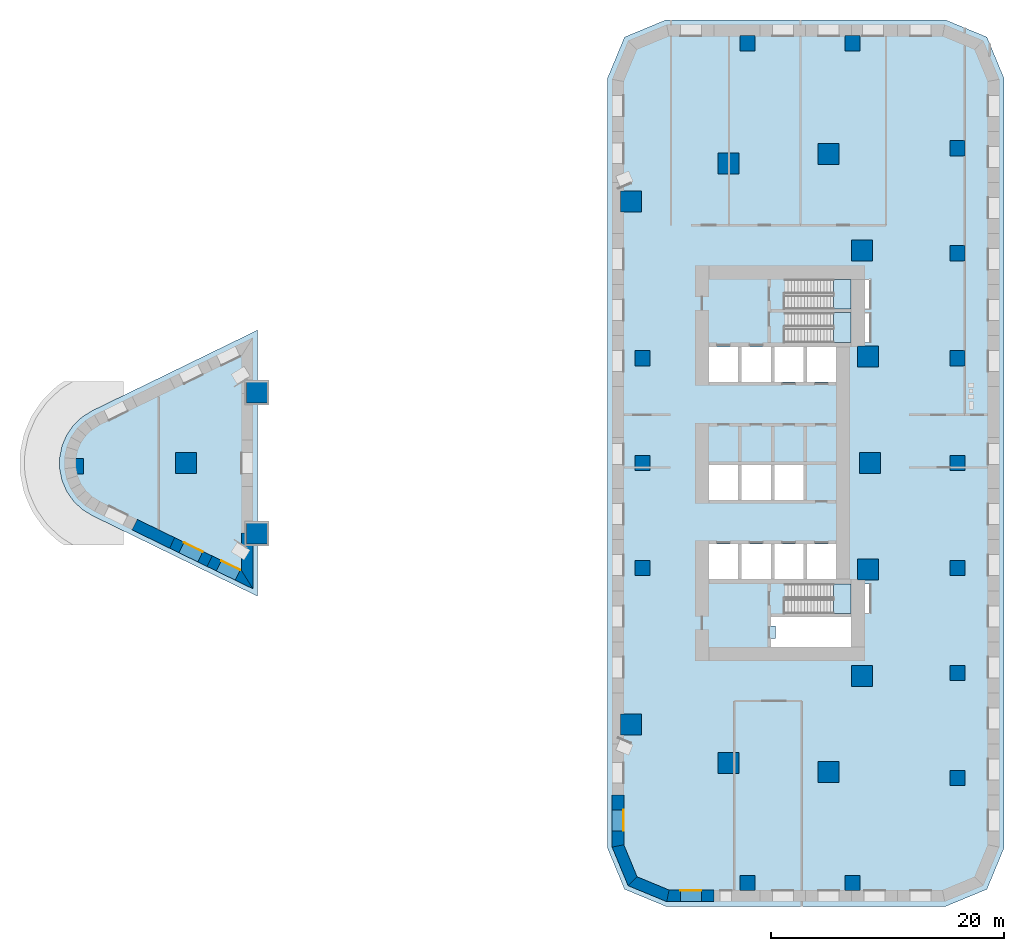
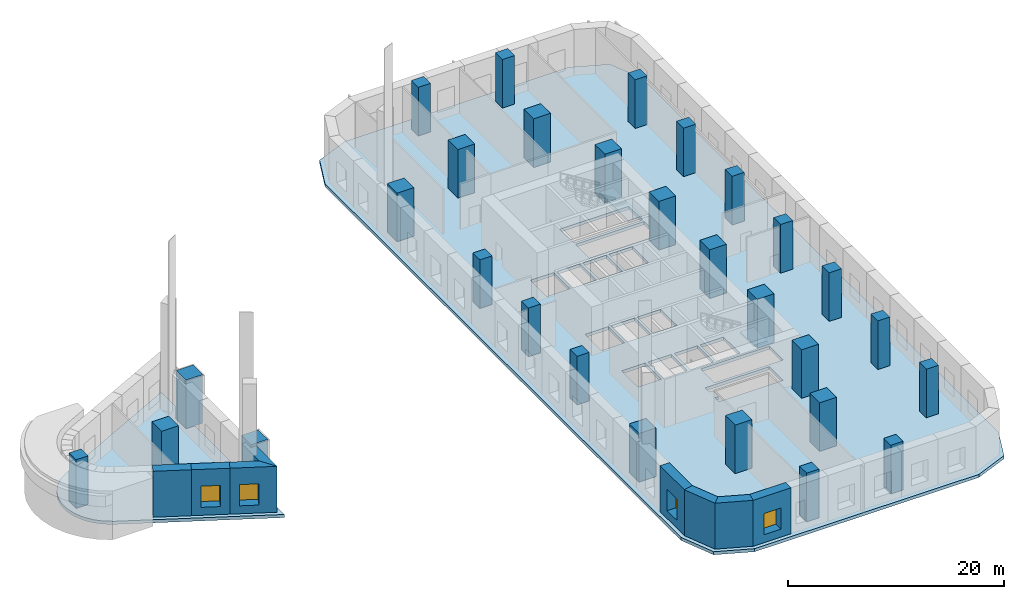
# One storey, part 1 of 12: 29 columns, 8 walls, 5 slabs, 4 windows, 5 openings, 3 elements without a shape of their own.
"""IFC4 building model written with IfcOpenShell, lengths in metres."""

from ifc_helpers import new_model, si_unit, direction, frame, frame_2d, origin, origin_2d, place, context, subcontext, project, spatial, polyline, rectangle, outline, extrude, material, layer, layer_set, material_profile, profile_set, type_object, element, fill, aggregate, save


model = new_model("IFC4")

# Units and contexts
model_context = context("Model", 3, precision=1e-05, world=origin(), true_north=direction((0.0, 1.0)))
body_context = subcontext(model_context, "Body", "Model", "MODEL_VIEW")
ifc_project = project(units=[si_unit("LENGTHUNIT", "METRE"), si_unit("AREAUNIT", "SQUARE_METRE"), si_unit("VOLUMEUNIT", "CUBIC_METRE"), si_unit("PLANEANGLEUNIT", "RADIAN"), si_unit("MASSUNIT", "GRAM", prefix="KILO")], contexts=[model_context])

# Site, building, storey
site_placement = place(None, origin())
site = spatial("IfcSite", under=ifc_project, at=site_placement, CompositionType="ELEMENT")
building_placement = place(site_placement, origin())
building = spatial("IfcBuilding", under=site, at=building_placement, Name="Ostrand Prow Hotel Tower", CompositionType="ELEMENT")
storey_placement = place(building_placement, frame((0.0, 0.0, 8.0)))
storey = spatial("IfcBuildingStorey", under=building, at=storey_placement, Name="L01", CompositionType="ELEMENT", Elevation=8.0)

# Columns
ifc_material_1 = material(Name="Concrete C60/75", Category="concrete")
ifc_material_profile_1 = material_profile(ifc_material_1, rectangle(XDim=1.300048828125, YDim=1.300048828125, at=origin_2d()), Name="RC 1300x1300")
ifc_profile_set_1 = profile_set([ifc_material_profile_1], Name="Concrete C60/75")
column_type_1 = type_object("IfcColumnType", Name="Interior column 1300x1300 C60/75", PredefinedType="COLUMN", material=ifc_profile_set_1)
for number, where, z_axis, x_axis, name in (
    (1, (-3.573974609375, -0.262939453125, 0.0), (0.0, 0.0, 1.0), (1.0, 0.0, 0.0), "Interior column W4S0"),
    (2, (45.0, -9.0, 0.0), (0.0, 0.0, 1.0), (1.0, 0.0, 0.0), "Interior column 45S9"),
    (3, (45.0, 0.0, 0.0), (0.0, 0.0, 1.0), (1.0, 0.0, 0.0), "Interior column 45C0"),
    (4, (45.0, 9.0, 0.0), (0.0, 0.0, 1.0), (1.0, 0.0, 0.0), "Interior column 45N9"),
    (5, (54.0, -36.0, 0.0), (0.0, 0.0, 1.0), (1.0, 0.0, 0.0), "Interior column 54S36"),
    (6, (54.0, 36.0, 0.0), (0.0, 0.0, 1.0), (1.0, 0.0, 0.0), "Interior column 54N36"),
    (7, (63.0, -36.0, 0.0), (0.0, 0.0, 1.0), (1.0, 0.0, 0.0), "Interior column 63S36"),
    (8, (63.0, 36.0, 0.0), (0.0, 0.0, 1.0), (1.0, 0.0, 0.0), "Interior column 63N36"),
    (9, (72.0, -27.0, 0.0), (0.0, 0.0, 1.0), (1.0, 0.0, 0.0), "Interior column 72S27"),
    (10, (72.0, -18.0, 0.0), (0.0, 0.0, 1.0), (1.0, 0.0, 0.0), "Interior column 72S18"),
    (11, (72.0, -9.0, 0.0), (0.0, 0.0, 1.0), (1.0, 0.0, 0.0), "Interior column 72S9"),
    (12, (72.0, 0.0, 0.0), (0.0, 0.0, 1.0), (1.0, 0.0, 0.0), "Interior column 72C0"),
    (13, (72.0, 9.0, 0.0), (0.0, 0.0, 1.0), (1.0, 0.0, 0.0), "Interior column 72N9"),
    (14, (72.0, 18.0, 0.0), (0.0, 0.0, 1.0), (1.0, 0.0, 0.0), "Interior column 72N18"),
    (15, (72.0, 27.0, 0.0), (0.0, 0.0, 1.0), (1.0, 0.0, 0.0), "Interior column 72N27"),
):
    element("IfcColumn", number, at=place(storey_placement, frame(where, z_axis=z_axis, x_axis=x_axis)), inside=storey, type_object=column_type_1, Name=name, PredefinedType="COLUMN", context=body_context, shape_type="SweptSolid", body=[
        extrude(rectangle(XDim=1.300048828125, YDim=1.300048828125, at=origin_2d()), origin(), (0.0, 0.0, 1.0), 5.5),
    ])
ifc_material_2 = material(Name="Concrete C60/75", Category="concrete")
ifc_material_profile_2 = material_profile(ifc_material_2, rectangle(XDim=1.800048828125, YDim=1.800048828125, at=origin_2d()), Name="RC 1800x1800")
ifc_profile_set_2 = profile_set([ifc_material_profile_2], Name="Concrete C60/75")
column_type_2 = type_object("IfcColumnType", Name="Stone-faced mega column 1800x1800 C60/75", PredefinedType="COLUMN", material=ifc_profile_set_2)
for number, where, z_axis, x_axis, name in (
    (16, (5.848388671875, 0.0, 0.0), (0.0, 0.0, 1.0), (1.0, 0.0, 0.0), "Mega column P"),
    (17, (11.926513671875, -6.0419921875, 0.0), (0.0, 0.0, 1.0), (1.0, 0.0, 0.0), "Mega column S1"),
    (18, (43.997802734375, -22.427978515625, 0.0), (0.0, 0.0, 1.0), (1.0, 0.0, 0.0), "Mega column S5"),
    (19, (52.3916015625, -25.710205078125, 0.0), (0.0, 0.0, 1.0), (1.0, 0.0, 0.0), "Mega column S6"),
    (20, (60.966064453125, -26.49853515625, 0.0), (0.0, 0.0, 1.0), (1.0, 0.0, 0.0), "Mega column SE"),
    (21, (63.8134765625, -18.248779296875, 0.0), (0.0, 0.0, 1.0), (1.0, 0.0, 0.0), "Mega column B1"),
    (22, (64.328369140625, -9.130859375, 0.0), (0.0, 0.0, 1.0), (1.0, 0.0, 0.0), "Mega column B2"),
    (23, (64.5, 0.0, 0.0), (0.0, 0.0, 1.0), (1.0, 0.0, 0.0), "Mega column B3"),
    (24, (64.328369140625, 9.130859375, 0.0), (0.0, 0.0, 1.0), (1.0, 0.0, 0.0), "Mega column B4"),
    (25, (63.8134765625, 18.248779296875, 0.0), (0.0, 0.0, 1.0), (1.0, 0.0, 0.0), "Mega column B5"),
    (26, (60.966064453125, 26.49853515625, 0.0), (0.0, 0.0, 1.0), (1.0, 0.0, 0.0), "Mega column NE"),
    (27, (52.3916015625, 25.710205078125, 0.0), (0.0, 0.0, 1.0), (1.0, 0.0, 0.0), "Mega column N1"),
    (28, (43.997802734375, 22.427978515625, 0.0), (0.0, 0.0, 1.0), (1.0, 0.0, 0.0), "Mega column N2"),
    (29, (11.926513671875, 6.0419921875, 0.0), (0.0, 0.0, 1.0), (1.0, 0.0, 0.0), "Mega column N6"),
):
    element("IfcColumn", number, at=place(storey_placement, frame(where, z_axis=z_axis, x_axis=x_axis)), inside=storey, type_object=column_type_2, Name=name, PredefinedType="COLUMN", context=body_context, shape_type="SweptSolid", body=[
        extrude(rectangle(XDim=1.800048828125, YDim=1.800048828125, at=origin_2d()), origin(), (0.0, 0.0, 1.0), 5.5),
    ])

# Slab
ifc_material_3 = material(Name="Concrete C40/50", Category="concrete")
ifc_layer_1 = layer(ifc_material_3, 0.35009765625)
ifc_layer_set_1 = layer_set([ifc_layer_1], Name="Concrete C40/50")
slab_type_1 = type_object("IfcSlabType", Name="PT flat plate 350 C40/50", PredefinedType="FLOOR", material=ifc_layer_set_1)
slab_1_placement = place(storey_placement, frame((0.0, 0.0, -0.35009765625)))
element("IfcSlab", 30, at=slab_1_placement, inside=storey, type_object=slab_type_1, Name="Floor slab L01-1", PredefinedType="FLOOR", context=body_context, shape_type="SweptSolid", body=[
    extrude(outline(polyline([(12.0, -11.41259765625), (-2.19091796875, -4.494384765625), (-3.052490234375, -3.9599609375), (-3.788818359375, -3.2626953125), (-4.368896484375, -2.431396484375), (-4.769775390625, -1.5), (-4.97412109375, -0.5068359375), (-4.97412109375, 0.5068359375), (-4.769775390625, 1.5), (-4.368896484375, 2.431396484375), (-3.788818359375, 3.2626953125), (-3.052490234375, 3.9599609375), (-2.19091796875, 4.494384765625), (12.0, 11.41259765625), (12.0, -11.41259765625)])), origin(), (0.0, 0.0, 1.0), 0.35009765625),
])

# Slab, opening
slab_2_placement = place(storey_placement, frame((0.0, 0.0, -0.35009765625)))
slab_2 = element("IfcSlab", 31, at=slab_2_placement, inside=storey, type_object=slab_type_1, Name="Floor slab L01-2", PredefinedType="FLOOR", context=body_context, shape_type="SweptSolid", body=[
    extrude(outline(polyline([(47.0, -38.0), (43.464599609375, -36.535400390625), (42.0, -33.0), (42.0, 33.0), (43.464599609375, 36.535400390625), (47.0, 38.0), (71.0, 38.0), (74.535400390625, 36.535400390625), (76.0, 33.0), (76.0, -33.0), (74.535400390625, -36.535400390625), (71.0, -38.0), (47.0, -38.0)]), holes=[polyline([(50.699951171875, 6.949951171875), (53.199951171875, 6.949951171875), (53.199951171875, 9.949951171875), (50.699951171875, 9.949951171875), (50.699951171875, 6.949951171875)]), polyline([(53.5, 6.949951171875), (56.0, 6.949951171875), (56.0, 9.949951171875), (53.5, 9.949951171875), (53.5, 6.949951171875)]), polyline([(56.300048828125, 6.949951171875), (58.800048828125, 6.949951171875), (58.800048828125, 9.949951171875), (56.300048828125, 9.949951171875), (56.300048828125, 6.949951171875)]), polyline([(59.10009765625, 6.949951171875), (61.60009765625, 6.949951171875), (61.60009765625, 9.949951171875), (59.10009765625, 9.949951171875), (59.10009765625, 6.949951171875)]), polyline([(50.699951171875, -3.14990234375), (53.199951171875, -3.14990234375), (53.199951171875, -0.14990234375), (50.699951171875, -0.14990234375), (50.699951171875, -3.14990234375)]), polyline([(53.5, -3.14990234375), (56.0, -3.14990234375), (56.0, -0.14990234375), (53.5, -0.14990234375), (53.5, -3.14990234375)]), polyline([(56.300048828125, -3.14990234375), (58.800048828125, -3.14990234375), (58.800048828125, -0.14990234375), (56.300048828125, -0.14990234375), (56.300048828125, -3.14990234375)]), polyline([(50.699951171875, -9.949951171875), (53.199951171875, -9.949951171875), (53.199951171875, -6.949951171875), (50.699951171875, -6.949951171875), (50.699951171875, -9.949951171875)]), polyline([(53.5, -9.949951171875), (56.0, -9.949951171875), (56.0, -6.949951171875), (53.5, -6.949951171875), (53.5, -9.949951171875)]), polyline([(56.300048828125, -9.949951171875), (58.800048828125, -9.949951171875), (58.800048828125, -6.949951171875), (56.300048828125, -6.949951171875), (56.300048828125, -9.949951171875)]), polyline([(59.10009765625, -9.949951171875), (61.60009765625, -9.949951171875), (61.60009765625, -6.949951171875), (59.10009765625, -6.949951171875), (59.10009765625, -9.949951171875)]), polyline([(57.200927734375, 10.35107421875), (57.200927734375, 12.89892578125), (64.55908203125, 12.89892578125), (64.55908203125, 10.35107421875), (57.200927734375, 10.35107421875)]), polyline([(57.200927734375, 13.200927734375), (57.200927734375, 15.7490234375), (64.55908203125, 15.7490234375), (64.55908203125, 13.200927734375), (57.200927734375, 13.200927734375)]), polyline([(57.200927734375, -12.89892578125), (57.200927734375, -10.35107421875), (64.55908203125, -10.35107421875), (64.55908203125, -12.89892578125), (57.200927734375, -12.89892578125)]), polyline([(56.0, -13.199951171875), (62.8798828125, -13.199951171875), (62.8798828125, -15.75), (56.0, -15.75), (56.0, -15.050048828125), (56.39990234375, -15.050048828125), (56.39990234375, -13.949951171875), (56.0, -13.949951171875), (56.0, -13.199951171875)])]), origin(), (0.0, 0.0, 1.0), 0.35009765625),
])
opening_1_placement = place(slab_2_placement, origin())
element("IfcOpeningElement", 32, at=opening_1_placement, cuts=slab_2, Name="Shaft opening 1", PredefinedType="OPENING", context=body_context, shape_type="SweptSolid", body=[
    extrude(outline(polyline([(56.0, -13.199951171875), (62.8798828125, -13.199951171875), (62.8798828125, -15.75), (56.0, -15.75), (56.0, -15.050048828125), (56.39990234375, -15.050048828125), (56.39990234375, -13.949951171875), (56.0, -13.949951171875), (56.0, -13.199951171875)])), origin(), (0.0, 0.0, 1.0), 0.35009765625),
])

# Stair, slab
ifc_material_4 = material(Name="Concrete C40/50", Category="concrete")
stair_type = type_object("IfcStairType", Name="Exit stair 1200 middle zone", PredefinedType="HALF_TURN_STAIR", material=ifc_material_4)
stair_1_placement = place(storey_placement, origin())
stair_1 = element("IfcStair", 33, at=stair_1_placement, inside=storey, type_object=stair_type, Name="L01 ST1B", PredefinedType="HALF_TURN_STAIR")
ifc_material_5 = material(Name="Concrete C40/50", Category="concrete")
ifc_layer_2 = layer(ifc_material_5, 0.199951171875)
ifc_layer_set_2 = layer_set([ifc_layer_2], Name="Concrete C40/50")
slab_type_2 = type_object("IfcSlabType", Name="Stair landing 200 concrete", PredefinedType="LANDING", material=ifc_layer_set_2)
slab_3_placement = place(storey_placement, frame((0.0, 0.0, 2.550048828125)))
slab_3 = element("IfcSlab", 34, at=slab_3_placement, type_object=slab_type_2, Name="ST1B landing 1", PredefinedType="LANDING", context=body_context, shape_type="SweptSolid", body=[
    extrude(outline(polyline([(61.39990234375, 10.35009765625), (62.8798828125, 10.35009765625), (62.8798828125, 12.89990234375), (61.39990234375, 12.89990234375), (61.39990234375, 10.35009765625)])), origin(), (0.0, 0.0, 1.0), 0.199951171875),
])
aggregate(stair_1, [slab_3])

stair_2_placement = place(storey_placement, origin())
stair_2 = element("IfcStair", 35, at=stair_2_placement, inside=storey, type_object=stair_type, Name="L01 ST3B", PredefinedType="HALF_TURN_STAIR")
slab_4_placement = place(storey_placement, frame((0.0, 0.0, 2.550048828125)))
slab_4 = element("IfcSlab", 36, at=slab_4_placement, type_object=slab_type_2, Name="ST3B landing 1", PredefinedType="LANDING", context=body_context, shape_type="SweptSolid", body=[
    extrude(outline(polyline([(61.39990234375, 13.199951171875), (62.8798828125, 13.199951171875), (62.8798828125, 15.75), (61.39990234375, 15.75), (61.39990234375, 13.199951171875)])), origin(), (0.0, 0.0, 1.0), 0.199951171875),
])
aggregate(stair_2, [slab_4])

stair_3_placement = place(storey_placement, origin())
stair_3 = element("IfcStair", 37, at=stair_3_placement, inside=storey, type_object=stair_type, Name="L01 ST2B", PredefinedType="HALF_TURN_STAIR")
slab_5_placement = place(storey_placement, frame((0.0, 0.0, 2.550048828125)))
slab_5 = element("IfcSlab", 38, at=slab_5_placement, type_object=slab_type_2, Name="ST2B landing 1", PredefinedType="LANDING", context=body_context, shape_type="SweptSolid", body=[
    extrude(outline(polyline([(61.39990234375, -12.89990234375), (62.8798828125, -12.89990234375), (62.8798828125, -10.35009765625), (61.39990234375, -10.35009765625), (61.39990234375, -12.89990234375)])), origin(), (0.0, 0.0, 1.0), 0.199951171875),
])
aggregate(stair_3, [slab_5])

# Walls
ifc_material_6 = material(Name="Precast concrete C40/50", Category="concrete")
ifc_layer_3 = layer(ifc_material_6, 1.0)
ifc_layer_set_3 = layer_set([ifc_layer_3], Name="Precast concrete C40/50")
wall_type = type_object("IfcWallType", Name="Portal pier wall 1000 mm", PredefinedType="NOTDEFINED", material=ifc_layer_set_3)
wall_1_placement = place(storey_placement, frame((11.10009765625, -9.972412109375, 0.0), z_axis=(0.0, 0.0, 1.0), x_axis=(0.0, 1.0, 0.0)))
element("IfcWall", 39, at=wall_1_placement, inside=storey, type_object=wall_type, Name="Portal pier wall L01-PP000", PredefinedType="NOTDEFINED", context=body_context, shape_type="SweptSolid", body=[
    extrude(outline(polyline([(-0.800048828125, -0.5), (3.989013671875, -0.5), (3.989013671875, 0.5), (0.800048828125, 0.5), (-0.800048828125, -0.5)])), origin(), (0.0, 0.0, 1.0), 5.199951171875),
])
wall_2_placement = place(storey_placement, frame((1.45849609375, -5.272216796875, 0.0), z_axis=(0.0, 0.0, 1.0), x_axis=(0.898848496883, -0.438259488946, 0.0)))
element("IfcWall", 40, at=wall_2_placement, inside=storey, type_object=wall_type, Name="Portal pier wall L01-PP021", PredefinedType="NOTDEFINED", context=body_context, shape_type="SweptSolid", body=[
    extrude(outline(polyline([(0.0, -0.5), (3.5751953125, -0.5), (3.5751953125, 0.5), (0.0, 0.5), (0.0, -0.5)])), origin(), (0.0, 0.0, 1.0), 5.199951171875),
])

# Wall, opening, window
wall_3_placement = place(storey_placement, frame((4.672119140625, -6.839111328125, 0.0), z_axis=(0.0, 0.0, 1.0), x_axis=(0.898888507486, -0.43817741967, 0.0)))
wall_3 = element("IfcWall", 41, at=wall_3_placement, inside=storey, type_object=wall_type, Name="Portal pier wall L01-PP022", PredefinedType="NOTDEFINED", context=body_context, shape_type="SweptSolid", body=[
    extrude(outline(polyline([(0.0, -0.5), (3.575439453125, -0.5), (3.575439453125, 0.5), (0.0, 0.5), (0.0, -0.5)])), origin(), (0.0, 0.0, 1.0), 5.199951171875),
])
opening_2_placement = place(wall_3_placement, frame((0.8876953125, 0.0, 0.89990234375)))
opening_2 = element("IfcOpeningElement", 42, at=opening_2_placement, cuts=wall_3, Name="Opening WP2", PredefinedType="OPENING", context=body_context, shape_type="SweptSolid", body=[
    extrude(rectangle(XDim=1.800048828125, YDim=2.39990234375, at=frame_2d((0.89990234375, 1.199951171875))), frame((0.0, 0.510009765625, 0.0), z_axis=(0.0, -1.0, 0.0), x_axis=(1.0, 0.0, 0.0)), (0.0, 0.0, 1.0), 1.02001953125),
])
ifc_material_7 = material(Name="Insulated glass in bronze anodised frame", Category="glass")
window_type = type_object("IfcWindowType", Name="Portal window 1800x2400", PartitioningType="SINGLE_PANEL", PredefinedType="WINDOW", material=ifc_material_7)
window_1_placement = place(opening_2_placement, origin())
window_1 = element("IfcWindow", 43, at=window_1_placement, inside=storey, type_object=window_type, Name="Portal window L01-PP022", OverallHeight=2.39990234375, OverallWidth=1.800048828125, PartitioningType="SINGLE_PANEL", PredefinedType="WINDOW", context=body_context, shape_type="SweptSolid", body=[
    extrude(rectangle(XDim=1.800048828125, YDim=2.39990234375, at=frame_2d((0.89990234375, 1.199951171875))), frame((0.0, 0.5, 0.0), z_axis=(0.0, -1.0, 0.0), x_axis=(1.0, 0.0, 0.0)), (0.0, 0.0, 1.0), 0.06005859375),
])
fill(opening_2, window_1)

wall_4_placement = place(storey_placement, frame((7.885986328125, -8.40576171875, 0.0), z_axis=(0.0, 0.0, 1.0), x_axis=(0.89890161674, -0.438150525987, 0.0)))
wall_4 = element("IfcWall", 44, at=wall_4_placement, inside=storey, type_object=wall_type, Name="Portal pier wall L01-PP023", PredefinedType="NOTDEFINED", context=body_context, shape_type="SweptSolid", body=[
    extrude(outline(polyline([(0.0, -0.5), (4.375732421875, -0.5), (2.775634765625, 0.5), (0.0, 0.5), (0.0, -0.5)])), origin(), (0.0, 0.0, 1.0), 5.199951171875),
])
opening_3_placement = place(wall_4_placement, frame((0.8876953125, 0.0, 0.89990234375)))
opening_3 = element("IfcOpeningElement", 45, at=opening_3_placement, cuts=wall_4, Name="Opening WP2", PredefinedType="OPENING", context=body_context, shape_type="SweptSolid", body=[
    extrude(rectangle(XDim=1.800048828125, YDim=2.39990234375, at=frame_2d((0.89990234375, 1.199951171875))), frame((0.0, 0.510009765625, 0.0), z_axis=(0.0, -1.0, 0.0), x_axis=(1.0, 0.0, 0.0)), (0.0, 0.0, 1.0), 1.02001953125),
])
window_2_placement = place(opening_3_placement, origin())
window_2 = element("IfcWindow", 46, at=window_2_placement, inside=storey, type_object=window_type, Name="Portal window L01-PP023", OverallHeight=2.39990234375, OverallWidth=1.800048828125, PartitioningType="SINGLE_PANEL", PredefinedType="WINDOW", context=body_context, shape_type="SweptSolid", body=[
    extrude(rectangle(XDim=1.800048828125, YDim=2.39990234375, at=frame_2d((0.89990234375, 1.199951171875))), frame((0.0, 0.5, 0.0), z_axis=(0.0, -1.0, 0.0), x_axis=(1.0, 0.0, 0.0)), (0.0, 0.0, 1.0), 0.06005859375),
])
fill(opening_3, window_2)

wall_5_placement = place(storey_placement, frame((47.178955078125, -37.10009765625, 0.0), z_axis=(0.0, 0.0, 1.0), x_axis=(1.0, 0.0, 0.0)))
wall_5 = element("IfcWall", 47, at=wall_5_placement, inside=storey, type_object=wall_type, Name="Portal pier wall L01-PP100", PredefinedType="NOTDEFINED", context=body_context, shape_type="SweptSolid", body=[
    extrude(outline(polyline([(-0.099609375, -0.5), (3.9404296875, -0.5), (3.9404296875, 0.5), (0.099609375, 0.5), (-0.099609375, -0.5)])), origin(), (0.0, 0.0, 1.0), 5.199951171875),
])
opening_4_placement = place(wall_5_placement, frame((1.0703125, 0.0, 0.89990234375)))
opening_4 = element("IfcOpeningElement", 48, at=opening_4_placement, cuts=wall_5, Name="Opening WP2", PredefinedType="OPENING", context=body_context, shape_type="SweptSolid", body=[
    extrude(rectangle(XDim=1.800048828125, YDim=2.39990234375, at=frame_2d((0.89990234375, 1.199951171875))), frame((0.0, 0.510009765625, 0.0), z_axis=(0.0, -1.0, 0.0), x_axis=(1.0, 0.0, 0.0)), (0.0, 0.0, 1.0), 1.02001953125),
])
window_3_placement = place(opening_4_placement, origin())
window_3 = element("IfcWindow", 49, at=window_3_placement, inside=storey, type_object=window_type, Name="Portal window L01-PP100", OverallHeight=2.39990234375, OverallWidth=1.800048828125, PartitioningType="SINGLE_PANEL", PredefinedType="WINDOW", context=body_context, shape_type="SweptSolid", body=[
    extrude(rectangle(XDim=1.800048828125, YDim=2.39990234375, at=frame_2d((0.89990234375, 1.199951171875))), frame((0.0, 0.5, 0.0), z_axis=(0.0, -1.0, 0.0), x_axis=(1.0, 0.0, 0.0)), (0.0, 0.0, 1.0), 0.06005859375),
])
fill(opening_4, window_3)

wall_6_placement = place(storey_placement, frame((42.89990234375, -28.44482421875, 0.0), z_axis=(0.0, 0.0, 1.0), x_axis=(0.0, -1.0, 0.0)))
wall_6 = element("IfcWall", 50, at=wall_6_placement, inside=storey, type_object=wall_type, Name="Portal pier wall L01-PP147", PredefinedType="NOTDEFINED", context=body_context, shape_type="SweptSolid", body=[
    extrude(outline(polyline([(0.0, -0.5), (4.475830078125, -0.5), (4.276611328125, 0.5), (0.0, 0.5), (0.0, -0.5)])), origin(), (0.0, 0.0, 1.0), 5.199951171875),
])
opening_5_placement = place(wall_6_placement, frame((1.2880859375, 0.0, 0.89990234375)))
opening_5 = element("IfcOpeningElement", 51, at=opening_5_placement, cuts=wall_6, Name="Opening WP2", PredefinedType="OPENING", context=body_context, shape_type="SweptSolid", body=[
    extrude(rectangle(XDim=1.800048828125, YDim=2.39990234375, at=frame_2d((0.89990234375, 1.199951171875))), frame((0.0, 0.510009765625, 0.0), z_axis=(0.0, -1.0, 0.0), x_axis=(1.0, 0.0, 0.0)), (0.0, 0.0, 1.0), 1.02001953125),
])
window_4_placement = place(opening_5_placement, origin())
window_4 = element("IfcWindow", 52, at=window_4_placement, inside=storey, type_object=window_type, Name="Portal window L01-PP147", OverallHeight=2.39990234375, OverallWidth=1.800048828125, PartitioningType="SINGLE_PANEL", PredefinedType="WINDOW", context=body_context, shape_type="SweptSolid", body=[
    extrude(rectangle(XDim=1.800048828125, YDim=2.39990234375, at=frame_2d((0.89990234375, 1.199951171875))), frame((0.0, 0.5, 0.0), z_axis=(0.0, -1.0, 0.0), x_axis=(1.0, 0.0, 0.0)), (0.0, 0.0, 1.0), 0.06005859375),
])
fill(opening_5, window_4)

# Walls
wall_7_placement = place(storey_placement, frame((42.89990234375, -32.821044921875, 0.0), z_axis=(0.0, 0.0, 1.0), x_axis=(0.382724875529, -0.923862365102, 0.0)))
element("IfcWall", 53, at=wall_7_placement, inside=storey, type_object=wall_type, Name="Portal pier wall L01-PP148", PredefinedType="NOTDEFINED", context=body_context, shape_type="SweptSolid", body=[
    extrude(outline(polyline([(-0.099609375, -0.5), (3.48193359375, -0.5), (3.06787109375, 0.5), (0.099609375, 0.5), (-0.099609375, -0.5)])), origin(), (0.0, 0.0, 1.0), 5.199951171875),
])
wall_8_placement = place(storey_placement, frame((44.1533203125, -35.8466796875, 0.0), z_axis=(0.0, 0.0, 1.0), x_axis=(0.923862365102, -0.382724875529, 0.0)))
element("IfcWall", 54, at=wall_8_placement, inside=storey, type_object=wall_type, Name="Portal pier wall L01-PP149", PredefinedType="NOTDEFINED", context=body_context, shape_type="SweptSolid", body=[
    extrude(outline(polyline([(-0.20703125, -0.5), (3.37451171875, -0.5), (3.17529296875, 0.5), (0.20703125, 0.5), (-0.20703125, -0.5)])), origin(), (0.0, 0.0, 1.0), 5.199951171875),
])

save(model, "model.ifc")
